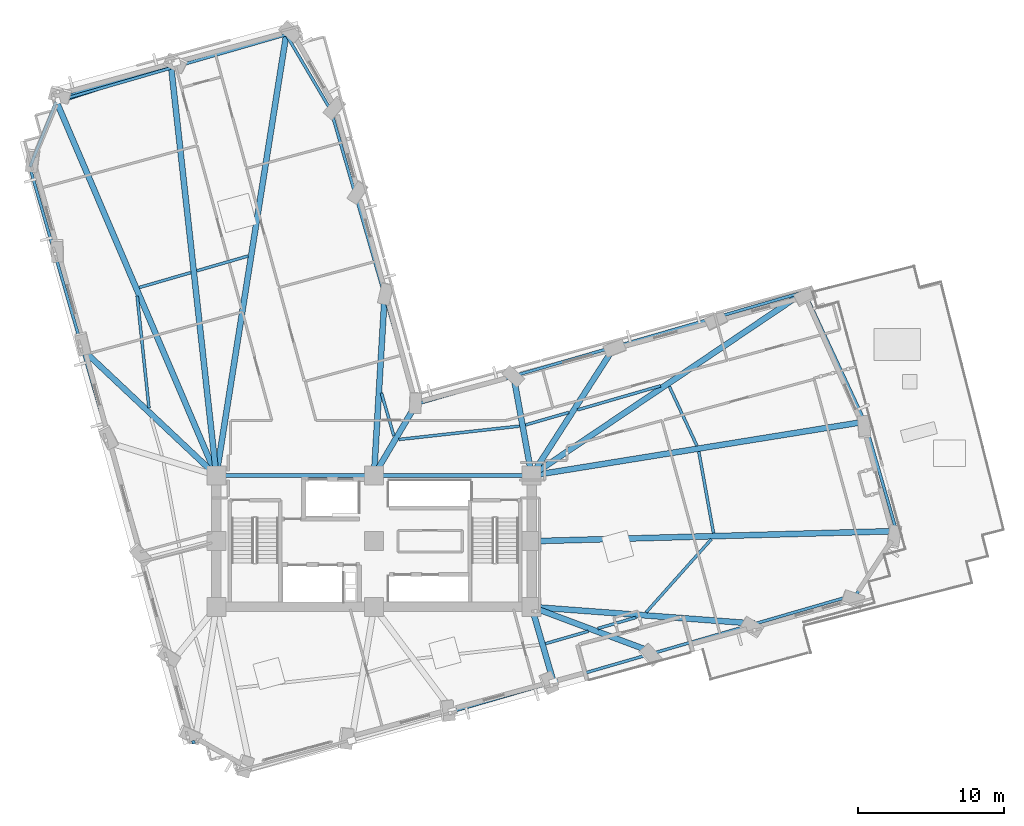
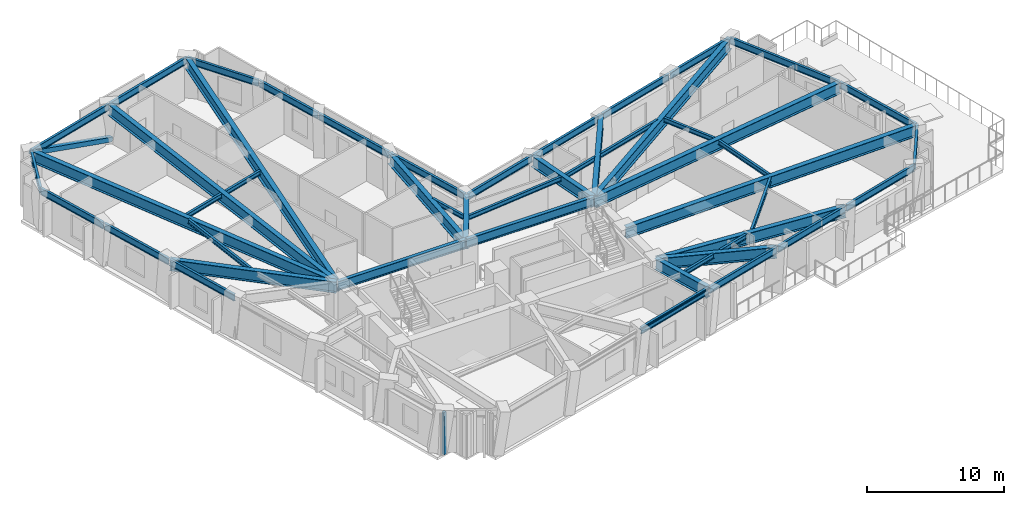
# One storey, part 3 of 15: 49 beams, 2 members, 1 plate.
"""IFC4 building model written with IfcOpenShell, lengths in metres."""

from ifc_helpers import new_model, si_unit, direction, frame, origin, origin_2d, place, context, subcontext, project, spatial, rectangle, hollow_rectangle, hollow_circle, i_section, extrude, material, layer, layer_set, material_profile, profile_set, type_object, element, save


model = new_model("IFC4")

# Units and contexts
model_context = context("Model", 3, precision=1e-05, world=origin(), true_north=direction((0.0, 1.0)))
body_context = subcontext(model_context, "Body", "Model", "MODEL_VIEW")
ifc_project = project(units=[si_unit("LENGTHUNIT", "METRE"), si_unit("AREAUNIT", "SQUARE_METRE"), si_unit("VOLUMEUNIT", "CUBIC_METRE"), si_unit("PLANEANGLEUNIT", "RADIAN"), si_unit("MASSUNIT", "GRAM", prefix="KILO")], contexts=[model_context])

# Site, building, storey
site_placement = place(None, origin())
site = spatial("IfcSite", under=ifc_project, at=site_placement, CompositionType="ELEMENT")
building_placement = place(site_placement, origin())
building = spatial("IfcBuilding", under=site, at=building_placement, Name="Gaonmaruhae Medical Tower", CompositionType="ELEMENT")
storey_placement = place(building_placement, frame((0.0, 0.0, 88.39990234375)))
storey = spatial("IfcBuildingStorey", under=building, at=storey_placement, Name="L20", CompositionType="ELEMENT", Elevation=88.39990234375)

# Beams
ifc_material_1 = material(Name="Steel SM420", Category="steel")
ifc_material_profile_1 = material_profile(ifc_material_1, i_section(OverallWidth=0.39990234375, OverallDepth=1.0, WebThickness=0.02197265625, FlangeThickness=0.035888671875, at=origin_2d()), Name="BH-1000x400x22x36")
ifc_profile_set_1 = profile_set([ifc_material_profile_1], Name="Steel SM420")
beam_type_1 = type_object("IfcBeamType", Name="BG-02 Refuge Floor Primary Girder (BH-1000x400x22x36)", PredefinedType="BEAM", material=ifc_profile_set_1)
beam_1_placement = place(storey_placement, frame((35.614013671875, 7.751953125, 3.280029296875), z_axis=(0.279501339633, -0.960145302099, 0.0), x_axis=(0.960145302099, 0.279501339633, 0.0)))
element("IfcBeam", 1, at=beam_1_placement, inside=storey, type_object=beam_type_1, Name="L20 Radial Primary Girder S04", PredefinedType="BEAM", context=body_context, shape_type="SweptSolid", body=[
    extrude(i_section(OverallWidth=0.39990234375, OverallDepth=1.0, WebThickness=0.02197265625, FlangeThickness=0.035888671875, at=origin_2d()), origin(), (0.0, 0.0, 1.0), 5.264404296875),
])
beam_2_placement = place(storey_placement, frame((35.646728515625, 7.782470703125, 3.260009765625), z_axis=(0.936611181968, -0.350370509337, 0.0), x_axis=(0.350370509337, 0.936611181968, 0.0)))
element("IfcBeam", 2, at=beam_2_placement, inside=storey, type_object=beam_type_1, Name="L20 Radial Primary Girder S05", PredefinedType="BEAM", context=body_context, shape_type="SweptSolid", body=[
    extrude(i_section(OverallWidth=0.39990234375, OverallDepth=1.0, WebThickness=0.02197265625, FlangeThickness=0.035888671875, at=origin_2d()), origin(), (0.0, 0.0, 1.0), 8.885009765625),
])
beam_3_placement = place(storey_placement, frame((35.64990234375, 7.79638671875, 3.260009765625), z_axis=(0.997220845537, -0.074502249808, 0.0), x_axis=(0.074502249808, 0.997220845537, 0.0)))
element("IfcBeam", 3, at=beam_3_placement, inside=storey, type_object=beam_type_1, Name="L20 Radial Primary Girder S06", PredefinedType="BEAM", context=body_context, shape_type="SweptSolid", body=[
    extrude(i_section(OverallWidth=0.39990234375, OverallDepth=1.0, WebThickness=0.02197265625, FlangeThickness=0.035888671875, at=origin_2d()), origin(), (0.0, 0.0, 1.0), 15.27392578125),
])
beam_4_placement = place(storey_placement, frame((35.64990234375, 12.30126953125, 3.280029296875), z_axis=(0.999614692653, 0.027757273499, 0.0), x_axis=(-0.027757273499, 0.999614692653, 0.0)))
element("IfcBeam", 4, at=beam_4_placement, inside=storey, type_object=beam_type_1, Name="L20 Radial Primary Girder E01", PredefinedType="BEAM", context=body_context, shape_type="SweptSolid", body=[
    extrude(i_section(OverallWidth=0.39990234375, OverallDepth=1.0, WebThickness=0.02197265625, FlangeThickness=0.035888671875, at=origin_2d()), origin(), (0.0, 0.0, 1.0), 24.908935546875),
])
beam_5_placement = place(storey_placement, frame((35.6494140625, 16.807861328125, 3.280029296875), z_axis=(0.987212930673, 0.159407118765, 0.0), x_axis=(-0.159407118765, 0.987212930673, 0.0)))
element("IfcBeam", 5, at=beam_5_placement, inside=storey, type_object=beam_type_1, Name="L20 Radial Primary Girder E02", PredefinedType="BEAM", context=body_context, shape_type="SweptSolid", body=[
    extrude(i_section(OverallWidth=0.39990234375, OverallDepth=1.0, WebThickness=0.02197265625, FlangeThickness=0.035888671875, at=origin_2d()), origin(), (0.0, 0.0, 1.0), 23.025390625),
])
beam_6_placement = place(storey_placement, frame((35.641357421875, 16.827880859375, 3.280029296875), z_axis=(0.829464607044, 0.558559276766, 0.0), x_axis=(-0.558559276766, 0.829464607044, 0.0)))
element("IfcBeam", 6, at=beam_6_placement, inside=storey, type_object=beam_type_1, Name="L20 Radial Primary Girder E03", PredefinedType="BEAM", context=body_context, shape_type="SweptSolid", body=[
    extrude(i_section(OverallWidth=0.39990234375, OverallDepth=1.0, WebThickness=0.02197265625, FlangeThickness=0.035888671875, at=origin_2d()), origin(), (0.0, 0.0, 1.0), 22.43359375),
])
beam_7_placement = place(storey_placement, frame((35.626953125, 16.842041015625, 3.280029296875), z_axis=(0.54126241854, 0.840853729418, 0.0), x_axis=(-0.840853729418, 0.54126241854, 0.0)))
element("IfcBeam", 7, at=beam_7_placement, inside=storey, type_object=beam_type_1, Name="L20 Radial Primary Girder EN02", PredefinedType="BEAM", context=body_context, shape_type="SweptSolid", body=[
    extrude(i_section(OverallWidth=0.39990234375, OverallDepth=1.0, WebThickness=0.02197265625, FlangeThickness=0.035888671875, at=origin_2d()), origin(), (0.0, 0.0, 1.0), 10.385986328125),
])
beam_8_placement = place(storey_placement, frame((35.591064453125, 16.84912109375, 3.280029296875), z_axis=(-0.179064821915, 0.983837277985, 0.0), x_axis=(-0.983837277985, -0.179064821915, 0.0)))
element("IfcBeam", 8, at=beam_8_placement, inside=storey, type_object=beam_type_1, Name="L20 Radial Primary Girder EN03", PredefinedType="BEAM", context=body_context, shape_type="SweptSolid", body=[
    extrude(i_section(OverallWidth=0.39990234375, OverallDepth=1.0, WebThickness=0.02197265625, FlangeThickness=0.035888671875, at=origin_2d()), origin(), (0.0, 0.0, 1.0), 6.82666015625),
])
beam_9_placement = place(storey_placement, frame((24.825439453125, 16.843017578125, 3.280029296875), z_axis=(0.508643656446, 0.860977137186, 0.0), x_axis=(-0.860977137186, 0.508643656446, 0.0)))
element("IfcBeam", 9, at=beam_9_placement, inside=storey, type_object=beam_type_1, Name="L20 Radial Primary Girder KN01", PredefinedType="BEAM", context=body_context, shape_type="SweptSolid", body=[
    extrude(i_section(OverallWidth=0.39990234375, OverallDepth=1.0, WebThickness=0.02197265625, FlangeThickness=0.035888671875, at=origin_2d()), origin(), (0.0, 0.0, 1.0), 5.56982421875),
])
beam_10_placement = place(storey_placement, frame((24.802978515625, 16.849853515625, 3.280029296875), z_axis=(0.058986117347, 0.998258803097, 0.0), x_axis=(-0.998258803097, 0.058986117347, 0.0)))
element("IfcBeam", 10, at=beam_10_placement, inside=storey, type_object=beam_type_1, Name="L20 Radial Primary Girder NE01", PredefinedType="BEAM", context=body_context, shape_type="SweptSolid", body=[
    extrude(i_section(OverallWidth=0.39990234375, OverallDepth=1.0, WebThickness=0.02197265625, FlangeThickness=0.035888671875, at=origin_2d()), origin(), (0.0, 0.0, 1.0), 12.2470703125),
])
beam_11_placement = place(storey_placement, frame((14.0078125, 16.849365234375, 3.280029296875), z_axis=(0.156574099263, 0.987666214589, 0.0), x_axis=(-0.987666214589, 0.156574099263, 0.0)))
element("IfcBeam", 11, at=beam_11_placement, inside=storey, type_object=beam_type_1, Name="L20 Radial Primary Girder N01", PredefinedType="BEAM", context=body_context, shape_type="SweptSolid", body=[
    extrude(i_section(OverallWidth=0.39990234375, OverallDepth=1.0, WebThickness=0.02197265625, FlangeThickness=0.035888671875, at=origin_2d()), origin(), (0.0, 0.0, 1.0), 30.483642578125),
])
beam_12_placement = place(storey_placement, frame((13.994384765625, 16.849609375, 3.280029296875), z_axis=(-0.109896471935, 0.993943039342, 0.0), x_axis=(-0.993943039342, -0.109896471935, 0.0)))
element("IfcBeam", 12, at=beam_12_placement, inside=storey, type_object=beam_type_1, Name="L20 Radial Primary Girder N02", PredefinedType="BEAM", context=body_context, shape_type="SweptSolid", body=[
    extrude(i_section(OverallWidth=0.39990234375, OverallDepth=1.0, WebThickness=0.02197265625, FlangeThickness=0.035888671875, at=origin_2d()), origin(), (0.0, 0.0, 1.0), 27.99609375),
])
beam_13_placement = place(storey_placement, frame((13.980224609375, 16.845947265625, 3.280029296875), z_axis=(-0.393114404703, 0.91948956754, 0.0), x_axis=(-0.91948956754, -0.393114404703, 0.0)))
element("IfcBeam", 13, at=beam_13_placement, inside=storey, type_object=beam_type_1, Name="L20 Radial Primary Girder N03", PredefinedType="BEAM", context=body_context, shape_type="SweptSolid", body=[
    extrude(i_section(OverallWidth=0.39990234375, OverallDepth=1.0, WebThickness=0.02197265625, FlangeThickness=0.035888671875, at=origin_2d()), origin(), (0.0, 0.0, 1.0), 27.790283203125),
])
beam_14_placement = place(storey_placement, frame((13.963623046875, 16.834228515625, 3.280029296875), z_axis=(-0.727992651259, 0.68558493253, 0.0), x_axis=(-0.68558493253, -0.727992651259, 0.0)))
element("IfcBeam", 14, at=beam_14_placement, inside=storey, type_object=beam_type_1, Name="L20 Radial Primary Girder W03", PredefinedType="BEAM", context=body_context, shape_type="SweptSolid", body=[
    extrude(i_section(OverallWidth=0.39990234375, OverallDepth=1.0, WebThickness=0.02197265625, FlangeThickness=0.035888671875, at=origin_2d()), origin(), (0.0, 0.0, 1.0), 12.481201171875),
])
ifc_material_2 = material(Name="Steel SM355", Category="steel")
ifc_material_profile_2 = material_profile(ifc_material_2, i_section(OverallWidth=0.199951171875, OverallDepth=0.39990234375, WebThickness=0.008056640625, FlangeThickness=0.012939453125, FilletRadius=0.012939453125, at=origin_2d()), Name="H-400x200x8x13")
ifc_profile_set_2 = profile_set([ifc_material_profile_2], Name="Steel SM355")
beam_type_2 = type_object("IfcBeamType", Name="FJ-01 Lower Zone Ward Floor Joist (H-400x200x8x13)", PredefinedType="JOIST", material=ifc_profile_set_2)
beam_15_placement = place(storey_placement, frame((36.547607421875, 5.281982421875, 3.580078125), z_axis=(0.960540090425, 0.2781415731, 0.0), x_axis=(-0.2781415731, 0.960540090425, 0.0)))
element("IfcBeam", 15, at=beam_15_placement, inside=storey, type_object=beam_type_2, Name="L20 Secondary Floor Joist FJ04", PredefinedType="JOIST", context=body_context, shape_type="SweptSolid", body=[
    extrude(i_section(OverallWidth=0.199951171875, OverallDepth=0.39990234375, WebThickness=0.008056640625, FlangeThickness=0.012939453125, FilletRadius=0.012939453125, at=origin_2d()), origin(), (0.0, 0.0, 1.0), 3.052734375),
])
beam_16_placement = place(storey_placement, frame((40.13525390625, 6.32080078125, 3.580078125), z_axis=(0.960520826089, 0.278208092352, 0.0), x_axis=(-0.278208092352, 0.960520826089, 0.0)))
element("IfcBeam", 16, at=beam_16_placement, inside=storey, type_object=beam_type_2, Name="L20 Secondary Floor Joist FJ05", PredefinedType="JOIST", context=body_context, shape_type="SweptSolid", body=[
    extrude(i_section(OverallWidth=0.199951171875, OverallDepth=0.39990234375, WebThickness=0.008056640625, FlangeThickness=0.012939453125, FilletRadius=0.012939453125, at=origin_2d()), origin(), (0.0, 0.0, 1.0), 2.7265625),
])
beam_17_placement = place(storey_placement, frame((43.437255859375, 7.419921875, 3.580078125), z_axis=(0.665631791313, 0.74628032159, 0.0), x_axis=(-0.74628032159, 0.665631791313, 0.0)))
element("IfcBeam", 17, at=beam_17_placement, inside=storey, type_object=beam_type_2, Name="L20 Secondary Floor Joist FJ06", PredefinedType="JOIST", context=body_context, shape_type="SweptSolid", body=[
    extrude(i_section(OverallWidth=0.199951171875, OverallDepth=0.39990234375, WebThickness=0.008056640625, FlangeThickness=0.012939453125, FilletRadius=0.012939453125, at=origin_2d()), origin(), (0.0, 0.0, 1.0), 6.723388671875),
])
beam_18_placement = place(storey_placement, frame((48.0625, 12.85205078125, 3.580078125), z_axis=(-0.178019046749, 0.9840270418, 0.0), x_axis=(-0.9840270418, -0.178019046749, 0.0)))
element("IfcBeam", 18, at=beam_18_placement, inside=storey, type_object=beam_type_2, Name="L20 Secondary Floor Joist FJ07", PredefinedType="JOIST", context=body_context, shape_type="SweptSolid", body=[
    extrude(i_section(OverallWidth=0.199951171875, OverallDepth=0.39990234375, WebThickness=0.008056640625, FlangeThickness=0.012939453125, FilletRadius=0.012939453125, at=origin_2d()), origin(), (0.0, 0.0, 1.0), 5.67919921875),
])
beam_19_placement = place(storey_placement, frame((46.9248046875, 18.8369140625, 3.580078125), z_axis=(-0.421669348591, 0.906749668023, 0.0), x_axis=(-0.906749668023, -0.421669348591, 0.0)))
element("IfcBeam", 19, at=beam_19_placement, inside=storey, type_object=beam_type_2, Name="L20 Secondary Floor Joist FJ08", PredefinedType="JOIST", context=body_context, shape_type="SweptSolid", body=[
    extrude(i_section(OverallWidth=0.199951171875, OverallDepth=0.39990234375, WebThickness=0.008056640625, FlangeThickness=0.012939453125, FilletRadius=0.012939453125, at=origin_2d()), origin(), (0.0, 0.0, 1.0), 4.4853515625),
])
beam_20_placement = place(storey_placement, frame((44.43408203125, 22.945068359375, 3.580078125), z_axis=(-0.960534754338, -0.278160000196, 0.0), x_axis=(0.278160000196, -0.960534754338, 0.0)))
element("IfcBeam", 20, at=beam_20_placement, inside=storey, type_object=beam_type_2, Name="L20 Secondary Floor Joist FJ09", PredefinedType="JOIST", context=body_context, shape_type="SweptSolid", body=[
    extrude(i_section(OverallWidth=0.199951171875, OverallDepth=0.39990234375, WebThickness=0.008056640625, FlangeThickness=0.012939453125, FilletRadius=0.012939453125, at=origin_2d()), origin(), (0.0, 0.0, 1.0), 5.932373046875),
])
beam_21_placement = place(storey_placement, frame((38.1396484375, 21.122314453125, 3.580078125), z_axis=(-0.96053753947, -0.278150382472, 0.0), x_axis=(0.278150382472, -0.96053753947, 0.0)))
element("IfcBeam", 21, at=beam_21_placement, inside=storey, type_object=beam_type_2, Name="L20 Secondary Floor Joist FJ10", PredefinedType="JOIST", context=body_context, shape_type="SweptSolid", body=[
    extrude(i_section(OverallWidth=0.199951171875, OverallDepth=0.39990234375, WebThickness=0.008056640625, FlangeThickness=0.012939453125, FilletRadius=0.012939453125, at=origin_2d()), origin(), (0.0, 0.0, 1.0), 3.08251953125),
])
beam_22_placement = place(storey_placement, frame((34.774658203125, 20.1845703125, 3.580078125), z_axis=(-0.993936528097, -0.109955346002, 0.0), x_axis=(0.109955346002, -0.993936528097, 0.0)))
element("IfcBeam", 22, at=beam_22_placement, inside=storey, type_object=beam_type_2, Name="L20 Secondary Floor Joist FJ11", PredefinedType="JOIST", context=body_context, shape_type="SweptSolid", body=[
    extrude(i_section(OverallWidth=0.199951171875, OverallDepth=0.39990234375, WebThickness=0.008056640625, FlangeThickness=0.012939453125, FilletRadius=0.012939453125, at=origin_2d()), origin(), (0.0, 0.0, 1.0), 8.32861328125),
])
beam_23_placement = place(storey_placement, frame((26.163818359375, 19.51025390625, 3.580078125), z_axis=(-0.27811034868, 0.960549131464, 0.0), x_axis=(-0.960549131464, -0.27811034868, 0.0)))
element("IfcBeam", 23, at=beam_23_placement, inside=storey, type_object=beam_type_2, Name="L20 Secondary Floor Joist FJ12", PredefinedType="JOIST", context=body_context, shape_type="SweptSolid", body=[
    extrude(i_section(OverallWidth=0.199951171875, OverallDepth=0.39990234375, WebThickness=0.008056640625, FlangeThickness=0.012939453125, FilletRadius=0.012939453125, at=origin_2d()), origin(), (0.0, 0.0, 1.0), 3.06201171875),
])
beam_24_placement = place(storey_placement, frame((16.17626953125, 31.840087890625, 3.580078125), z_axis=(-0.960542248466, -0.278134120367, 0.0), x_axis=(0.278134120367, -0.960542248466, 0.0)))
element("IfcBeam", 24, at=beam_24_placement, inside=storey, type_object=beam_type_2, Name="L20 Secondary Floor Joist FJ14", PredefinedType="JOIST", context=body_context, shape_type="SweptSolid", body=[
    extrude(i_section(OverallWidth=0.199951171875, OverallDepth=0.39990234375, WebThickness=0.008056640625, FlangeThickness=0.012939453125, FilletRadius=0.012939453125, at=origin_2d()), origin(), (0.0, 0.0, 1.0), 3.663818359375),
])
beam_25_placement = place(storey_placement, frame((12.25537109375, 30.70458984375, 3.580078125), z_axis=(-0.960547491188, -0.278116013872, 0.0), x_axis=(0.278116013872, -0.960547491188, 0.0)))
element("IfcBeam", 25, at=beam_25_placement, inside=storey, type_object=beam_type_2, Name="L20 Secondary Floor Joist FJ15", PredefinedType="JOIST", context=body_context, shape_type="SweptSolid", body=[
    extrude(i_section(OverallWidth=0.199951171875, OverallDepth=0.39990234375, WebThickness=0.008056640625, FlangeThickness=0.012939453125, FilletRadius=0.012939453125, at=origin_2d()), origin(), (0.0, 0.0, 1.0), 3.683349609375),
])
beam_26_placement = place(storey_placement, frame((8.573974609375, 29.093017578125, 3.580078125), z_axis=(0.105479022446, -0.994421528238, 0.0), x_axis=(0.994421528238, 0.105479022446, 0.0)))
element("IfcBeam", 26, at=beam_26_placement, inside=storey, type_object=beam_type_2, Name="L20 Secondary Floor Joist FJ16", PredefinedType="JOIST", context=body_context, shape_type="SweptSolid", body=[
    extrude(i_section(OverallWidth=0.199951171875, OverallDepth=0.39990234375, WebThickness=0.008056640625, FlangeThickness=0.012939453125, FilletRadius=0.012939453125, at=origin_2d()), origin(), (0.0, 0.0, 1.0), 7.712158203125),
])

# Member
ifc_material_profile_3 = material_profile(ifc_material_1, hollow_rectangle(XDim=0.39990234375, YDim=0.39990234375, WallThickness=0.01611328125, at=origin_2d()), Name="RHS-400x400x16")
ifc_profile_set_3 = profile_set([ifc_material_profile_3], Name="Steel SM420")
member_type_1 = type_object("IfcMemberType", Name="PB-01 Perimeter Solid-Bay Tube Brace Lower (RHS-400x400x16)", PredefinedType="BRACE", material=ifc_profile_set_3)
member_1_placement = place(storey_placement, frame((11.245849609375, 45.09912109375, 0.25), z_axis=(-0.889411171388, -0.28754841963, 0.355336002367), x_axis=(0.307624406731, -0.951507868797, 0.0)))
element("IfcMember", 27, at=member_1_placement, inside=storey, type_object=member_type_1, Name="L20 Perimeter Tube Solid-Bay Brace N02-N03", PredefinedType="BRACE", context=body_context, shape_type="SweptSolid", body=[
    extrude(hollow_rectangle(XDim=0.39990234375, YDim=0.39990234375, WallThickness=0.01611328125, at=origin_2d()), origin(), (0.0, 0.0, 1.0), 9.230712890625),
])

# Beams
ifc_material_profile_4 = material_profile(ifc_material_1, i_section(OverallWidth=0.300048828125, OverallDepth=0.800048828125, WebThickness=0.013916015625, FlangeThickness=0.02587890625, FilletRadius=0.01806640625, at=origin_2d()), Name="H-800x300x14x26")
ifc_profile_set_4 = profile_set([ifc_material_profile_4], Name="Steel SM420")
beam_type_3 = type_object("IfcBeamType", Name="PG-02 Zone 2 Radial Floor Girder (H-800x300x14x26)", PredefinedType="BEAM", material=ifc_profile_set_4)
for number, where, z_axis, x_axis, name in (
    (28, (14.050048828125, 16.800048828125, 3.380126953125), (1.0, 0.0, 0.0), (0.0, 1.0, 0.0), "L20 Beam BM-L20-CG-N1"),
    (29, (24.85009765625, 16.800048828125, 3.380126953125), (1.0, 0.0, 0.0), (0.0, 1.0, 0.0), "L20 Beam BM-L20-CG-N2"),
):
    element("IfcBeam", number, at=place(storey_placement, frame(where, z_axis=z_axis, x_axis=x_axis)), inside=storey, type_object=beam_type_3, Name=name, PredefinedType="BEAM", context=body_context, shape_type="SweptSolid", body=[
        extrude(i_section(OverallWidth=0.300048828125, OverallDepth=0.800048828125, WebThickness=0.013916015625, FlangeThickness=0.02587890625, FilletRadius=0.01806640625, at=origin_2d()), origin(), (0.0, 0.0, 1.0), 10.699951171875),
    ])

# Member
ifc_material_profile_5 = material_profile(ifc_material_2, hollow_circle(Radius=0.108154296875, WallThickness=0.00830078125, at=origin_2d()), Name="CHS-216.3x8.2")
ifc_profile_set_5 = profile_set([ifc_material_profile_5], Name="Steel SM355")
member_type_2 = type_object("IfcMemberType", Name="PR-03 Sky Garden Pergola Purlin (CHS-216.3x8.2)", PredefinedType="PURLIN", material=ifc_profile_set_5)
member_2_placement = place(storey_placement, frame((30.18359375, 0.646484375, 3.625), z_axis=(0.960536374148, 0.278154406649, 0.0), x_axis=(-0.26717753968, 0.922630521336, 0.278152985584)))
element("IfcMember", 30, at=member_2_placement, inside=storey, type_object=member_type_2, Name="L20 Sky Garden Pergola Purlin 2", PredefinedType="PURLIN", context=body_context, shape_type="SweptSolid", body=[
    extrude(hollow_circle(Radius=0.108154296875, WallThickness=0.00830078125, at=origin_2d()), origin(), (0.0, 0.0, 1.0), 7.199951171875),
])

# Beams
ifc_material_profile_6 = material_profile(ifc_material_2, i_section(OverallWidth=0.199951171875, OverallDepth=0.60009765625, WebThickness=0.010986328125, FlangeThickness=0.01708984375, FilletRadius=0.012939453125, at=origin_2d()), Name="H-600x200x11x17")
ifc_profile_set_6 = profile_set([ifc_material_profile_6], Name="Steel SM355")
beam_type_4 = type_object("IfcBeamType", Name="SP-01 Lower Perimeter Spandrel Beam (H-600x200x11x17)", PredefinedType="SPANDREL", material=ifc_profile_set_6)
beam_27_placement = place(storey_placement, frame((30.221923828125, 0.65771484375, 3.47998046875), z_axis=(0.960537025817, 0.278152156264, 0.0), x_axis=(-0.278152156264, 0.960537025817, 0.0)))
element("IfcBeam", 31, at=beam_27_placement, inside=storey, type_object=beam_type_4, Name="L20 Perimeter Spandrel Beam S03-S04", PredefinedType="SPANDREL", context=body_context, shape_type="SweptSolid", body=[
    extrude(i_section(OverallWidth=0.199951171875, OverallDepth=0.60009765625, WebThickness=0.010986328125, FlangeThickness=0.01708984375, FilletRadius=0.012939453125, at=origin_2d()), origin(), (0.0, 0.0, 1.0), 7.1201171875),
])
beam_28_placement = place(storey_placement, frame((37.137939453125, 2.660400390625, 3.460205078125), z_axis=(0.960534372795, 0.278161317725, 0.0), x_axis=(-0.278161317725, 0.960534372795, 0.0)))
element("IfcBeam", 32, at=beam_28_placement, inside=storey, type_object=beam_type_4, Name="L20 Perimeter Spandrel Beam S04-S05", PredefinedType="SPANDREL", context=body_context, shape_type="SweptSolid", body=[
    extrude(i_section(OverallWidth=0.199951171875, OverallDepth=0.60009765625, WebThickness=0.010986328125, FlangeThickness=0.01708984375, FilletRadius=0.012939453125, at=origin_2d()), origin(), (0.0, 0.0, 1.0), 7.119873046875),
])
for number, where, z_axis, x_axis, name in (
    (33, (44.0537109375, 4.6630859375, 3.460205078125), (0.960537025817, 0.278152156264, 0.0), (-0.278152156264, 0.960537025817, 0.0), "L20 Perimeter Spandrel Beam S05-S06"),
    (34, (50.969482421875, 6.665771484375, 3.47998046875), (0.960537025817, 0.278152156264, 0.0), (-0.278152156264, 0.960537025817, 0.0), "L20 Perimeter Spandrel Beam S06-S07"),
):
    element("IfcBeam", number, at=place(storey_placement, frame(where, z_axis=z_axis, x_axis=x_axis)), inside=storey, type_object=beam_type_4, Name=name, PredefinedType="SPANDREL", context=body_context, shape_type="SweptSolid", body=[
        extrude(i_section(OverallWidth=0.199951171875, OverallDepth=0.60009765625, WebThickness=0.010986328125, FlangeThickness=0.01708984375, FilletRadius=0.012939453125, at=origin_2d()), origin(), (0.0, 0.0, 1.0), 7.1201171875),
    ])
beam_29_placement = place(storey_placement, frame((57.868408203125, 8.691162109375, 3.47998046875), z_axis=(0.535862832651, 0.844305054221, 0.0), x_axis=(-0.844305054221, 0.535862832651, 0.0)))
element("IfcBeam", 35, at=beam_29_placement, inside=storey, type_object=beam_type_4, Name="L20 Perimeter Spandrel Beam S07-E01", PredefinedType="SPANDREL", context=body_context, shape_type="SweptSolid", body=[
    extrude(i_section(OverallWidth=0.199951171875, OverallDepth=0.60009765625, WebThickness=0.010986328125, FlangeThickness=0.01708984375, FilletRadius=0.012939453125, at=origin_2d()), origin(), (0.0, 0.0, 1.0), 5.056396484375),
])
beam_30_placement = place(storey_placement, frame((60.588134765625, 13.032470703125, 3.47998046875), z_axis=(-0.278140239418, 0.960540476615, 0.0), x_axis=(-0.960540476615, -0.278140239418, 0.0)))
element("IfcBeam", 36, at=beam_30_placement, inside=storey, type_object=beam_type_4, Name="L20 Perimeter Spandrel Beam E01-E02", PredefinedType="SPANDREL", context=body_context, shape_type="SweptSolid", body=[
    extrude(i_section(OverallWidth=0.199951171875, OverallDepth=0.60009765625, WebThickness=0.010986328125, FlangeThickness=0.01708984375, FilletRadius=0.012939453125, at=origin_2d()), origin(), (0.0, 0.0, 1.0), 7.719970703125),
])
beam_31_placement = place(storey_placement, frame((58.412841796875, 20.5224609375, 3.47998046875), z_axis=(-0.421685198585, 0.906742297069, 0.0), x_axis=(-0.906742297069, -0.421685198585, 0.0)))
element("IfcBeam", 37, at=beam_31_placement, inside=storey, type_object=beam_type_4, Name="L20 Perimeter Spandrel Beam E02-E03", PredefinedType="SPANDREL", context=body_context, shape_type="SweptSolid", body=[
    extrude(i_section(OverallWidth=0.199951171875, OverallDepth=0.60009765625, WebThickness=0.010986328125, FlangeThickness=0.01708984375, FilletRadius=0.012939453125, at=origin_2d()), origin(), (0.0, 0.0, 1.0), 9.7353515625),
])
beam_32_placement = place(storey_placement, frame((54.25244140625, 29.375, 3.47998046875), z_axis=(-0.960540723565, -0.278139386591, 0.0), x_axis=(0.278139386591, -0.960540723565, 0.0)))
element("IfcBeam", 38, at=beam_32_placement, inside=storey, type_object=beam_type_4, Name="L20 Perimeter Spandrel Beam E03-EN01", PredefinedType="SPANDREL", context=body_context, shape_type="SweptSolid", body=[
    extrude(i_section(OverallWidth=0.199951171875, OverallDepth=0.60009765625, WebThickness=0.010986328125, FlangeThickness=0.01708984375, FilletRadius=0.012939453125, at=origin_2d()), origin(), (0.0, 0.0, 1.0), 6.269775390625),
])
beam_33_placement = place(storey_placement, frame((48.153076171875, 27.60888671875, 3.47998046875), z_axis=(-0.960537025817, -0.278152156264, 0.0), x_axis=(0.278152156264, -0.960537025817, 0.0)))
element("IfcBeam", 39, at=beam_33_placement, inside=storey, type_object=beam_type_4, Name="L20 Perimeter Spandrel Beam EN01-EN02", PredefinedType="SPANDREL", context=body_context, shape_type="SweptSolid", body=[
    extrude(i_section(OverallWidth=0.199951171875, OverallDepth=0.60009765625, WebThickness=0.010986328125, FlangeThickness=0.01708984375, FilletRadius=0.012939453125, at=origin_2d()), origin(), (0.0, 0.0, 1.0), 7.1201171875),
])
beam_34_placement = place(storey_placement, frame((41.237060546875, 25.606201171875, 3.47998046875), z_axis=(-0.960534372795, -0.278161317725, 0.0), x_axis=(0.278161317725, -0.960534372795, 0.0)))
element("IfcBeam", 40, at=beam_34_placement, inside=storey, type_object=beam_type_4, Name="L20 Perimeter Spandrel Beam EN02-EN03", PredefinedType="SPANDREL", context=body_context, shape_type="SweptSolid", body=[
    extrude(i_section(OverallWidth=0.199951171875, OverallDepth=0.60009765625, WebThickness=0.010986328125, FlangeThickness=0.01708984375, FilletRadius=0.012939453125, at=origin_2d()), origin(), (0.0, 0.0, 1.0), 7.119873046875),
])
beam_35_placement = place(storey_placement, frame((34.3212890625, 23.603515625, 3.47998046875), z_axis=(-0.960528038103, -0.278183191471, 0.0), x_axis=(0.278183191471, -0.960528038103, 0.0)))
element("IfcBeam", 41, at=beam_35_placement, inside=storey, type_object=beam_type_4, Name="L20 Perimeter Spandrel Beam EN03-KN01", PredefinedType="SPANDREL", context=body_context, shape_type="SweptSolid", body=[
    extrude(i_section(OverallWidth=0.199951171875, OverallDepth=0.60009765625, WebThickness=0.010986328125, FlangeThickness=0.01708984375, FilletRadius=0.012939453125, at=origin_2d()), origin(), (0.0, 0.0, 1.0), 6.8701171875),
])
beam_36_placement = place(storey_placement, frame((27.6728515625, 21.7197265625, 3.47998046875), z_axis=(-0.278133044663, 0.960542559945, 0.0), x_axis=(-0.960542559945, -0.278133044663, 0.0)))
element("IfcBeam", 42, at=beam_36_placement, inside=storey, type_object=beam_type_4, Name="L20 Perimeter Spandrel Beam KN01-NE01", PredefinedType="SPANDREL", context=body_context, shape_type="SweptSolid", body=[
    extrude(i_section(OverallWidth=0.199951171875, OverallDepth=0.60009765625, WebThickness=0.010986328125, FlangeThickness=0.01708984375, FilletRadius=0.012939453125, at=origin_2d()), origin(), (0.0, 0.0, 1.0), 7.670166015625),
])
beam_37_placement = place(storey_placement, frame((25.51708984375, 29.1640625, 3.47998046875), z_axis=(-0.278161317725, 0.960534372795, 0.0), x_axis=(-0.960534372795, -0.278161317725, 0.0)))
element("IfcBeam", 43, at=beam_37_placement, inside=storey, type_object=beam_type_4, Name="L20 Perimeter Spandrel Beam NE01-NE02", PredefinedType="SPANDREL", context=body_context, shape_type="SweptSolid", body=[
    extrude(i_section(OverallWidth=0.199951171875, OverallDepth=0.60009765625, WebThickness=0.010986328125, FlangeThickness=0.01708984375, FilletRadius=0.012939453125, at=origin_2d()), origin(), (0.0, 0.0, 1.0), 7.119873046875),
])
beam_38_placement = place(storey_placement, frame((23.514404296875, 36.079833984375, 3.47998046875), z_axis=(-0.278129173649, 0.960543680821, 0.0), x_axis=(-0.960543680821, -0.278129173649, 0.0)))
element("IfcBeam", 44, at=beam_38_placement, inside=storey, type_object=beam_type_4, Name="L20 Perimeter Spandrel Beam NE02-NE03", PredefinedType="SPANDREL", context=body_context, shape_type="SweptSolid", body=[
    extrude(i_section(OverallWidth=0.199951171875, OverallDepth=0.60009765625, WebThickness=0.010986328125, FlangeThickness=0.01708984375, FilletRadius=0.012939453125, at=origin_2d()), origin(), (0.0, 0.0, 1.0), 5.919921875),
])
beam_39_placement = place(storey_placement, frame((21.83642578125, 41.839111328125, 3.47998046875), z_axis=(-0.508004504645, 0.86135441211, 0.0), x_axis=(-0.86135441211, -0.508004504645, 0.0)))
element("IfcBeam", 45, at=beam_39_placement, inside=storey, type_object=beam_type_4, Name="L20 Perimeter Spandrel Beam NE03-N01", PredefinedType="SPANDREL", context=body_context, shape_type="SweptSolid", body=[
    extrude(i_section(OverallWidth=0.199951171875, OverallDepth=0.60009765625, WebThickness=0.010986328125, FlangeThickness=0.01708984375, FilletRadius=0.012939453125, at=origin_2d()), origin(), (0.0, 0.0, 1.0), 5.959228515625),
])
for number, where, z_axis, x_axis, name in (
    (46, (18.750244140625, 46.995361328125, 3.47998046875), (-0.960538689307, -0.278146411706, 0.0), (0.278146411706, -0.960538689307, 0.0), "L20 Perimeter Spandrel Beam N01-N02"),
    (47, (10.873779296875, 44.714599609375, 3.47998046875), (-0.960538689307, -0.278146411706, 0.0), (0.278146411706, -0.960538689307, 0.0), "L20 Perimeter Spandrel Beam N02-N03"),
):
    element("IfcBeam", number, at=place(storey_placement, frame(where, z_axis=z_axis, x_axis=x_axis)), inside=storey, type_object=beam_type_4, Name=name, PredefinedType="SPANDREL", context=body_context, shape_type="SweptSolid", body=[
        extrude(i_section(OverallWidth=0.199951171875, OverallDepth=0.60009765625, WebThickness=0.010986328125, FlangeThickness=0.01708984375, FilletRadius=0.012939453125, at=origin_2d()), origin(), (0.0, 0.0, 1.0), 8.119873046875),
    ])
beam_40_placement = place(storey_placement, frame((3.02099609375, 42.40771484375, 3.47998046875), z_axis=(-0.37097854855, -0.928641435924, 0.0), x_axis=(0.928641435924, -0.37097854855, 0.0)))
element("IfcBeam", 48, at=beam_40_placement, inside=storey, type_object=beam_type_4, Name="L20 Perimeter Spandrel Beam N03-W01", PredefinedType="SPANDREL", context=body_context, shape_type="SweptSolid", body=[
    extrude(i_section(OverallWidth=0.199951171875, OverallDepth=0.60009765625, WebThickness=0.010986328125, FlangeThickness=0.01708984375, FilletRadius=0.012939453125, at=origin_2d()), origin(), (0.0, 0.0, 1.0), 4.80078125),
])
beam_41_placement = place(storey_placement, frame((1.236328125, 37.873779296875, 3.47998046875), z_axis=(0.278137804471, -0.960541181691, 0.0), x_axis=(0.960541181691, 0.278137804471, 0.0)))
element("IfcBeam", 49, at=beam_41_placement, inside=storey, type_object=beam_type_4, Name="L20 Perimeter Spandrel Beam W01-W02", PredefinedType="SPANDREL", context=body_context, shape_type="SweptSolid", body=[
    extrude(i_section(OverallWidth=0.199951171875, OverallDepth=0.60009765625, WebThickness=0.010986328125, FlangeThickness=0.01708984375, FilletRadius=0.012939453125, at=origin_2d()), origin(), (0.0, 0.0, 1.0), 6.31982421875),
])
beam_42_placement = place(storey_placement, frame((3.016357421875, 31.726318359375, 3.47998046875), z_axis=(0.278176270313, -0.960530042547, 0.0), x_axis=(0.960530042547, 0.278176270313, 0.0)))
element("IfcBeam", 50, at=beam_42_placement, inside=storey, type_object=beam_type_4, Name="L20 Perimeter Spandrel Beam W02-W03", PredefinedType="SPANDREL", context=body_context, shape_type="SweptSolid", body=[
    extrude(i_section(OverallWidth=0.199951171875, OverallDepth=0.60009765625, WebThickness=0.010986328125, FlangeThickness=0.01708984375, FilletRadius=0.012939453125, at=origin_2d()), origin(), (0.0, 0.0, 1.0), 6.52001953125),
])
beam_43_placement = place(storey_placement, frame((4.852294921875, 25.386962890625, 3.47998046875), z_axis=(0.278140182978, -0.960540492959, 0.0), x_axis=(0.960540492959, 0.278140182978, 0.0)))
element("IfcBeam", 51, at=beam_43_placement, inside=storey, type_object=beam_type_4, Name="L20 Perimeter Spandrel Beam W03-W04", PredefinedType="SPANDREL", context=body_context, shape_type="SweptSolid", body=[
    extrude(i_section(OverallWidth=0.199951171875, OverallDepth=0.60009765625, WebThickness=0.010986328125, FlangeThickness=0.01708984375, FilletRadius=0.012939453125, at=origin_2d()), origin(), (0.0, 0.0, 1.0), 6.570068359375),
])

# Plate
ifc_material_3 = material(Name="Anodised aluminium 6063-T6", Category="aluminium")
ifc_layer = layer(ifc_material_3, 0.011962890625)
ifc_layer_set = layer_set([ifc_layer], Name="Anodised aluminium 6063-T6")
plate_type = type_object("IfcPlateType", Name="PP-01 Interior Partition Corner Stiffener Plate", PredefinedType="SHEET", material=ifc_layer_set)
plate_placement = place(storey_placement, frame((12.4326171875, -1.468994140625, 0.0), z_axis=(0.0, 0.0, 1.0), x_axis=(-0.964883664999, -0.262677583776, 0.0)))
element("IfcPlate", 52, at=plate_placement, inside=storey, type_object=plate_type, Name="L20 Partition Corner Stiffener Plate PLT-L20-JGP-PW011", PredefinedType="SHEET", context=body_context, shape_type="SweptSolid", body=[
    extrude(rectangle(XDim=0.219970703125, YDim=0.219970703125, at=origin_2d()), origin(), (0.0, 0.0, 1.0), 3.780029296875),
])

save(model, "model.ifc")
